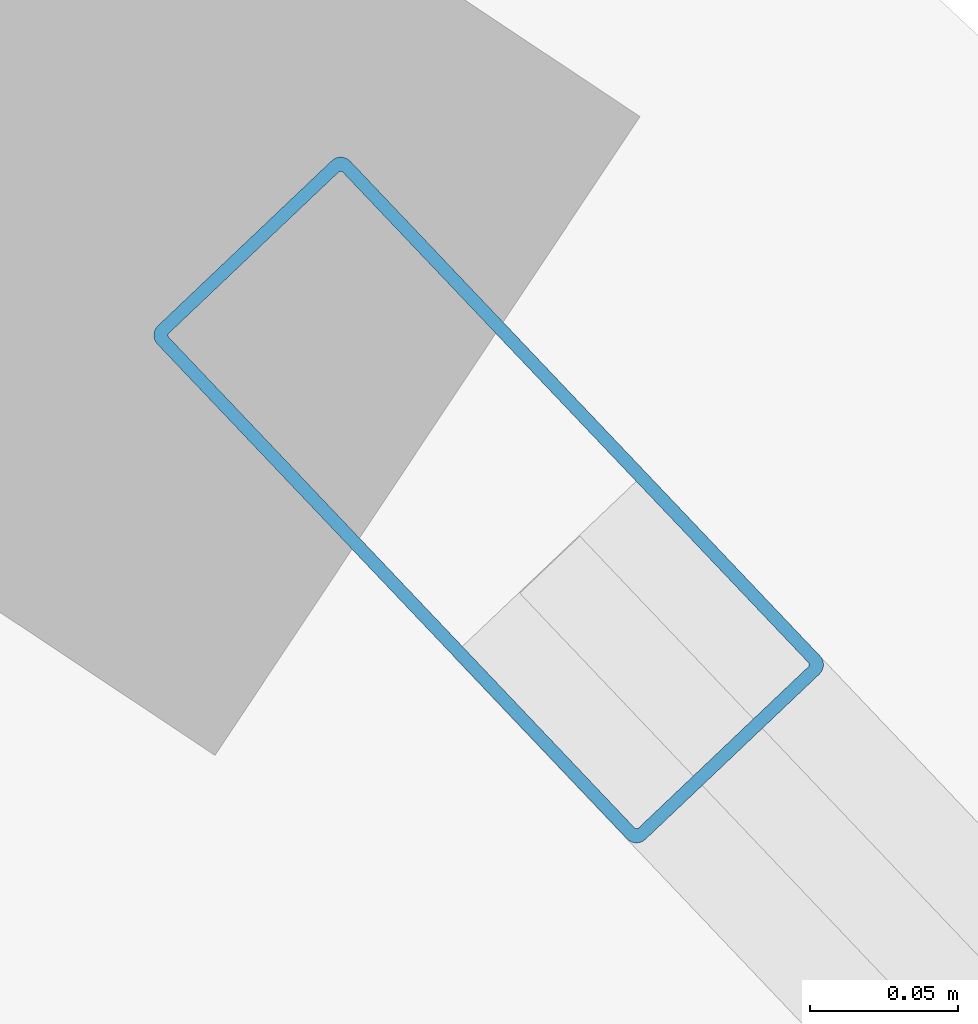
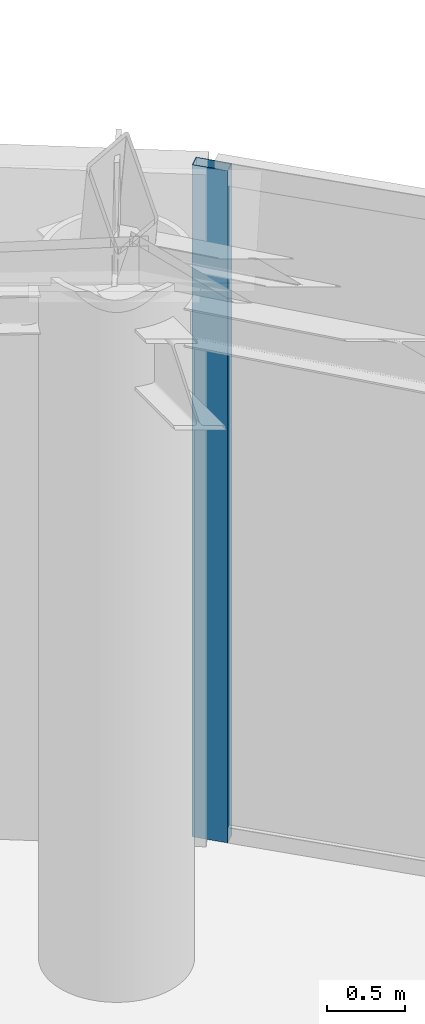
# One storey, part 32 of 40: 1 member, 1 element without a shape of its own.
"""IFC4 building model written with IfcOpenShell, lengths in metres."""

from ifc_helpers import new_model, si_unit, direction, frame, origin, origin_2d, place, context, subcontext, project, spatial, hollow_rectangle, extrude, material, layer, layer_set, material_profile, profile_set, type_object, element, aggregate, save


model = new_model("IFC4")

# Units and contexts
model_context = context("Model", 3, precision=1e-05, world=origin(), true_north=direction((0.0, 1.0)))
body_context = subcontext(model_context, "Body", "Model", "MODEL_VIEW")
ifc_project = project(units=[si_unit("LENGTHUNIT", "METRE"), si_unit("AREAUNIT", "SQUARE_METRE"), si_unit("VOLUMEUNIT", "CUBIC_METRE"), si_unit("PLANEANGLEUNIT", "RADIAN"), si_unit("MASSUNIT", "GRAM", prefix="KILO")], contexts=[model_context])

# Site, building, storey
site_placement = place(None, origin())
site = spatial("IfcSite", under=ifc_project, at=site_placement, CompositionType="ELEMENT")
building_placement = place(site_placement, origin())
building = spatial("IfcBuilding", under=site, at=building_placement, Name="Bramvorn Convention Spire", CompositionType="ELEMENT")
storey_placement = place(building_placement, frame((0.0, 0.0, 312.5)))
storey = spatial("IfcBuildingStorey", under=building, at=storey_placement, Name="L79", CompositionType="ELEMENT", Elevation=312.5)

# Curtain wall, member
ifc_material_1 = material(Name="Anodised Bronze Unitised Curtain Wall", Category="aluminium")
ifc_layer = layer(ifc_material_1, 0.199951171875)
ifc_layer_set = layer_set([ifc_layer], Name="Anodised Bronze Unitised Curtain Wall - CW-CROWN-SPIRE")
curtain_wall_type = type_object("IfcCurtainWallType", Name="CW-CROWN-SPIRE", PredefinedType="USERDEFINED", material=ifc_layer_set)
curtain_wall_placement = place(storey_placement, origin())
curtain_wall = element("IfcCurtainWall", 1, at=curtain_wall_placement, inside=storey, type_object=curtain_wall_type, Name="L79 fritted glass curtain wall 08", ObjectType="UNITISED CURTAIN WALL", PredefinedType="USERDEFINED")
ifc_material_2 = material(Name="Anodised Bronze Aluminium 6063-T6", Category="aluminium")
ifc_material_profile = material_profile(ifc_material_2, hollow_rectangle(XDim=0.090087890625, YDim=0.239990234375, WallThickness=0.00439453125, InnerFilletRadius=0.0009765625, OuterFilletRadius=0.00439453125, at=origin_2d()))
ifc_profile_set = profile_set([ifc_material_profile], Name="Anodised Bronze Aluminium 6063-T6 - CWM90X240")
member_type = type_object("IfcMemberType", Name="CW-MUL-220", PredefinedType="MULLION", material=ifc_profile_set)
member_placement = place(storey_placement, frame((48.869384765625, 42.345703125, 0.0), z_axis=(0.0, 0.0, 1.0), x_axis=(0.725223130248, 0.688513915149, 0.0)))
member = element("IfcMember", 2, at=member_placement, type_object=member_type, Name="CW6 mullion 1", PredefinedType="MULLION", context=body_context, shape_type="SweptSolid", body=[
    extrude(hollow_rectangle(XDim=0.090087890625, YDim=0.239990234375, WallThickness=0.00439453125, InnerFilletRadius=0.0009765625, OuterFilletRadius=0.00439453125, at=origin_2d()), origin(), (0.0, 0.0, 1.0), 5.25),
])
aggregate(curtain_wall, [member])

save(model, "model.ifc")
